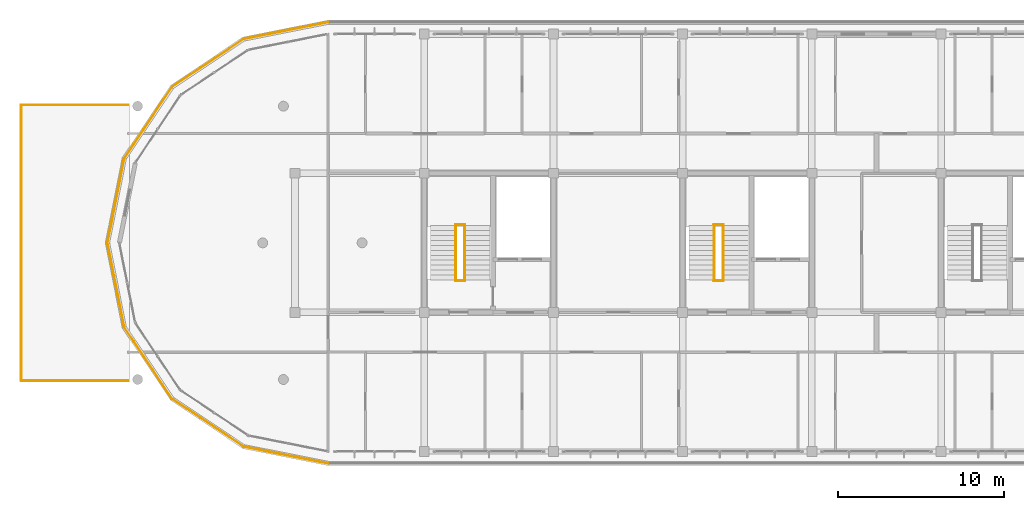
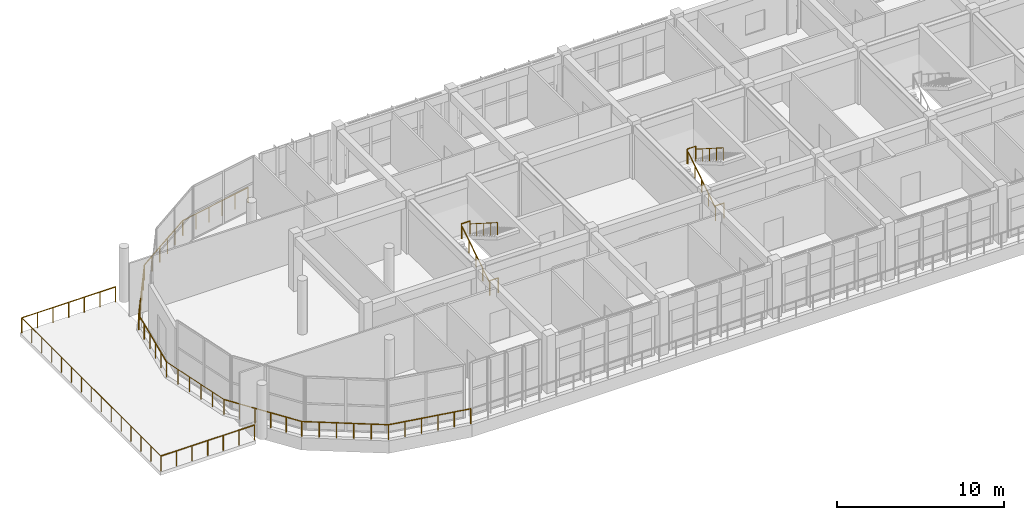
# One storey, part 46 of 50: 19 railings.
"""IFC4 building model written with IfcOpenShell, lengths in metres."""

from ifc_helpers import new_model, si_unit, direction, frame, origin, origin_2d, place, context, subcontext, project, spatial, circle, hollow_circle, extrude, material, material_profile, profile_set, type_object, element, save


model = new_model("IFC4")

# Units and contexts
model_context = context("Model", 3, precision=1e-05, world=origin(), true_north=direction((0.0, 1.0)))
body_context = subcontext(model_context, "Body", "Model", "MODEL_VIEW")
ifc_project = project(units=[si_unit("LENGTHUNIT", "METRE"), si_unit("AREAUNIT", "SQUARE_METRE"), si_unit("VOLUMEUNIT", "CUBIC_METRE"), si_unit("PLANEANGLEUNIT", "RADIAN"), si_unit("MASSUNIT", "GRAM", prefix="KILO")], contexts=[model_context])

# Site, building, storey
site_placement = place(None, origin())
site = spatial("IfcSite", under=ifc_project, at=site_placement, CompositionType="ELEMENT")
building_placement = place(site_placement, origin())
building = spatial("IfcBuilding", under=site, at=building_placement, Name="Zizhar Promenade General Hospital", CompositionType="ELEMENT")
storey_placement = place(building_placement, frame((0.0, 0.0, 30.60009765625)))
storey = spatial("IfcBuildingStorey", under=building, at=storey_placement, Name="L07", CompositionType="ELEMENT", Elevation=30.60009765625)

# Railings
ifc_material_1 = material(Name="Anodised aluminium 6063-T6", Category="aluminium")
ifc_material_profile_1 = material_profile(ifc_material_1, hollow_circle(Radius=0.06982421875, WallThickness=0.00634765625, at=origin_2d()))
ifc_profile_set_1 = profile_set([ifc_material_profile_1], Name="Anodised aluminium 6063-T6")
railing_type_1 = type_object("IfcRailingType", Name="RL-GUARD-TERR-1100", PredefinedType="GUARDRAIL", material=ifc_profile_set_1)
railing_1_placement = place(storey_placement, frame((41.0, 25.919921875, 0.0)))
element("IfcRailing", 1, at=railing_1_placement, inside=storey, type_object=railing_type_1, Name="Perimeter Safety Guardrail L07-10", PredefinedType="GUARDRAIL", context=body_context, shape_type="SweptSolid", body=[
    extrude(circle(Radius=0.02392578125, at=origin_2d()), frame((0.0, 0.0, 1.09619140625), z_axis=(-0.980786101187, -0.195086195614, 0.0), x_axis=(0.195086195614, -0.980786101187, 0.0)), (0.0, 0.0, 1.0), 5.197265625),
    extrude(circle(Radius=0.02099609375, at=origin_2d()), origin(), (0.0, 0.0, 1.0), 1.072021484375),
    extrude(circle(Radius=0.02099609375, at=origin_2d()), frame((-1.01953125, -0.202880859375, 0.0)), (0.0, 0.0, 1.0), 1.072021484375),
    extrude(circle(Radius=0.02099609375, at=origin_2d()), frame((-2.0390625, -0.405517578125, 0.0)), (0.0, 0.0, 1.0), 1.072021484375),
    extrude(circle(Radius=0.02099609375, at=origin_2d()), frame((-3.058349609375, -0.6083984375, 0.0)), (0.0, 0.0, 1.0), 1.072021484375),
    extrude(circle(Radius=0.02099609375, at=origin_2d()), frame((-4.077880859375, -0.81103515625, 0.0)), (0.0, 0.0, 1.0), 1.072021484375),
    extrude(circle(Radius=0.02099609375, at=origin_2d()), frame((-5.097412109375, -1.013916015625, 0.0)), (0.0, 0.0, 1.0), 1.072021484375),
])
railing_2_placement = place(storey_placement, frame((35.902587890625, 24.906005859375, 0.0)))
element("IfcRailing", 2, at=railing_2_placement, inside=storey, type_object=railing_type_1, Name="Perimeter Safety Guardrail L07-11", PredefinedType="GUARDRAIL", context=body_context, shape_type="SweptSolid", body=[
    extrude(circle(Radius=0.02392578125, at=origin_2d()), frame((0.0, 0.0, 1.09619140625), z_axis=(-0.831486145253, -0.555545488913, 0.0), x_axis=(0.555545488913, -0.831486145253, 0.0)), (0.0, 0.0, 1.0), 5.197021484375),
    extrude(circle(Radius=0.02099609375, at=origin_2d()), origin(), (0.0, 0.0, 1.0), 1.072021484375),
    extrude(circle(Radius=0.02099609375, at=origin_2d()), frame((-0.8642578125, -0.577392578125, 0.0)), (0.0, 0.0, 1.0), 1.072021484375),
    extrude(circle(Radius=0.02099609375, at=origin_2d()), frame((-1.728515625, -1.15478515625, 0.0)), (0.0, 0.0, 1.0), 1.072021484375),
    extrude(circle(Radius=0.02099609375, at=origin_2d()), frame((-2.5927734375, -1.732421875, 0.0)), (0.0, 0.0, 1.0), 1.072021484375),
    extrude(circle(Radius=0.02099609375, at=origin_2d()), frame((-3.45703125, -2.309814453125, 0.0)), (0.0, 0.0, 1.0), 1.072021484375),
    extrude(circle(Radius=0.02099609375, at=origin_2d()), frame((-4.3212890625, -2.88720703125, 0.0)), (0.0, 0.0, 1.0), 1.072021484375),
])
railing_3_placement = place(storey_placement, frame((31.581298828125, 22.018798828125, 0.0)))
element("IfcRailing", 3, at=railing_3_placement, inside=storey, type_object=railing_type_1, Name="Perimeter Safety Guardrail L07-12", PredefinedType="GUARDRAIL", context=body_context, shape_type="SweptSolid", body=[
    extrude(circle(Radius=0.02392578125, at=origin_2d()), frame((0.0, 0.0, 1.09619140625), z_axis=(-0.555556266519, -0.83147894425, 0.0), x_axis=(0.83147894425, -0.555556266519, 0.0)), (0.0, 0.0, 1.0), 5.197509765625),
    extrude(circle(Radius=0.02099609375, at=origin_2d()), origin(), (0.0, 0.0, 1.0), 1.072021484375),
    extrude(circle(Radius=0.02099609375, at=origin_2d()), frame((-0.577392578125, -0.8642578125, 0.0)), (0.0, 0.0, 1.0), 1.072021484375),
    extrude(circle(Radius=0.02099609375, at=origin_2d()), frame((-1.155029296875, -1.728515625, 0.0)), (0.0, 0.0, 1.0), 1.072021484375),
    extrude(circle(Radius=0.02099609375, at=origin_2d()), frame((-1.732421875, -2.593017578125, 0.0)), (0.0, 0.0, 1.0), 1.072021484375),
    extrude(circle(Radius=0.02099609375, at=origin_2d()), frame((-2.31005859375, -3.457275390625, 0.0)), (0.0, 0.0, 1.0), 1.072021484375),
    extrude(circle(Radius=0.02099609375, at=origin_2d()), frame((-2.887451171875, -4.321533203125, 0.0)), (0.0, 0.0, 1.0), 1.072021484375),
])
railing_4_placement = place(storey_placement, frame((28.69384765625, 17.697265625, 0.0)))
element("IfcRailing", 4, at=railing_4_placement, inside=storey, type_object=railing_type_1, Name="Perimeter Safety Guardrail L07-13", PredefinedType="GUARDRAIL", context=body_context, shape_type="SweptSolid", body=[
    extrude(circle(Radius=0.02392578125, at=origin_2d()), frame((0.0, 0.0, 1.09619140625), z_axis=(-0.195095184069, -0.980784313268, 0.0), x_axis=(0.980784313268, -0.195095184069, 0.0)), (0.0, 0.0, 1.0), 5.197021484375),
    extrude(circle(Radius=0.02099609375, at=origin_2d()), origin(), (0.0, 0.0, 1.0), 1.072021484375),
    extrude(circle(Radius=0.02099609375, at=origin_2d()), frame((-0.202880859375, -1.01953125, 0.0)), (0.0, 0.0, 1.0), 1.072021484375),
    extrude(circle(Radius=0.02099609375, at=origin_2d()), frame((-0.405517578125, -2.038818359375, 0.0)), (0.0, 0.0, 1.0), 1.072021484375),
    extrude(circle(Radius=0.02099609375, at=origin_2d()), frame((-0.6083984375, -3.058349609375, 0.0)), (0.0, 0.0, 1.0), 1.072021484375),
    extrude(circle(Radius=0.02099609375, at=origin_2d()), frame((-0.81103515625, -4.07763671875, 0.0)), (0.0, 0.0, 1.0), 1.072021484375),
    extrude(circle(Radius=0.02099609375, at=origin_2d()), frame((-1.013916015625, -5.09716796875, 0.0)), (0.0, 0.0, 1.0), 1.072021484375),
])
railing_5_placement = place(storey_placement, frame((27.679931640625, 12.60009765625, 0.0)))
element("IfcRailing", 5, at=railing_5_placement, inside=storey, type_object=railing_type_1, Name="Perimeter Safety Guardrail L07-14", PredefinedType="GUARDRAIL", context=body_context, shape_type="SweptSolid", body=[
    extrude(circle(Radius=0.02392578125, at=origin_2d()), frame((0.0, 0.0, 1.09619140625), z_axis=(0.195086195614, -0.980786101187, 0.0), x_axis=(0.980786101187, 0.195086195614, 0.0)), (0.0, 0.0, 1.0), 5.197265625),
    extrude(circle(Radius=0.02099609375, at=origin_2d()), origin(), (0.0, 0.0, 1.0), 1.072021484375),
    extrude(circle(Radius=0.02099609375, at=origin_2d()), frame((0.202880859375, -1.01953125, 0.0)), (0.0, 0.0, 1.0), 1.072021484375),
    extrude(circle(Radius=0.02099609375, at=origin_2d()), frame((0.405517578125, -2.0390625, 0.0)), (0.0, 0.0, 1.0), 1.072021484375),
    extrude(circle(Radius=0.02099609375, at=origin_2d()), frame((0.6083984375, -3.058349609375, 0.0)), (0.0, 0.0, 1.0), 1.072021484375),
    extrude(circle(Radius=0.02099609375, at=origin_2d()), frame((0.81103515625, -4.077880859375, 0.0)), (0.0, 0.0, 1.0), 1.072021484375),
    extrude(circle(Radius=0.02099609375, at=origin_2d()), frame((1.013916015625, -5.097412109375, 0.0)), (0.0, 0.0, 1.0), 1.072021484375),
])
railing_6_placement = place(storey_placement, frame((28.69384765625, 7.502685546875, 0.0)))
element("IfcRailing", 6, at=railing_6_placement, inside=storey, type_object=railing_type_1, Name="Perimeter Safety Guardrail L07-15", PredefinedType="GUARDRAIL", context=body_context, shape_type="SweptSolid", body=[
    extrude(circle(Radius=0.02392578125, at=origin_2d()), frame((0.0, 0.0, 1.09619140625), z_axis=(0.555577965829, -0.831464445352, 0.0), x_axis=(0.831464445352, 0.555577965829, 0.0)), (0.0, 0.0, 1.0), 5.197265625),
    extrude(circle(Radius=0.02099609375, at=origin_2d()), origin(), (0.0, 0.0, 1.0), 1.072021484375),
    extrude(circle(Radius=0.02099609375, at=origin_2d()), frame((0.577392578125, -0.8642578125, 0.0)), (0.0, 0.0, 1.0), 1.072021484375),
    extrude(circle(Radius=0.02099609375, at=origin_2d()), frame((1.155029296875, -1.728515625, 0.0)), (0.0, 0.0, 1.0), 1.072021484375),
    extrude(circle(Radius=0.02099609375, at=origin_2d()), frame((1.732421875, -2.5927734375, 0.0)), (0.0, 0.0, 1.0), 1.072021484375),
    extrude(circle(Radius=0.02099609375, at=origin_2d()), frame((2.31005859375, -3.45703125, 0.0)), (0.0, 0.0, 1.0), 1.072021484375),
    extrude(circle(Radius=0.02099609375, at=origin_2d()), frame((2.887451171875, -4.3212890625, 0.0)), (0.0, 0.0, 1.0), 1.072021484375),
])
railing_7_placement = place(storey_placement, frame((31.581298828125, 3.181396484375, 0.0)))
element("IfcRailing", 7, at=railing_7_placement, inside=storey, type_object=railing_type_1, Name="Perimeter Safety Guardrail L07-16", PredefinedType="GUARDRAIL", context=body_context, shape_type="SweptSolid", body=[
    extrude(circle(Radius=0.02392578125, at=origin_2d()), frame((0.0, 0.0, 1.09619140625), z_axis=(0.831464445352, -0.555577965829, 0.0), x_axis=(0.555577965829, 0.831464445352, 0.0)), (0.0, 0.0, 1.0), 5.197265625),
    extrude(circle(Radius=0.02099609375, at=origin_2d()), origin(), (0.0, 0.0, 1.0), 1.072021484375),
    extrude(circle(Radius=0.02099609375, at=origin_2d()), frame((0.8642578125, -0.577392578125, 0.0)), (0.0, 0.0, 1.0), 1.072021484375),
    extrude(circle(Radius=0.02099609375, at=origin_2d()), frame((1.728515625, -1.155029296875, 0.0)), (0.0, 0.0, 1.0), 1.072021484375),
    extrude(circle(Radius=0.02099609375, at=origin_2d()), frame((2.5927734375, -1.732421875, 0.0)), (0.0, 0.0, 1.0), 1.072021484375),
    extrude(circle(Radius=0.02099609375, at=origin_2d()), frame((3.45703125, -2.31005859375, 0.0)), (0.0, 0.0, 1.0), 1.072021484375),
    extrude(circle(Radius=0.02099609375, at=origin_2d()), frame((4.3212890625, -2.887451171875, 0.0)), (0.0, 0.0, 1.0), 1.072021484375),
])
railing_8_placement = place(storey_placement, frame((35.902587890625, 0.2939453125, 0.0)))
element("IfcRailing", 8, at=railing_8_placement, inside=storey, type_object=railing_type_1, Name="Perimeter Safety Guardrail L07-17", PredefinedType="GUARDRAIL", context=body_context, shape_type="SweptSolid", body=[
    extrude(circle(Radius=0.02392578125, at=origin_2d()), frame((0.0, 0.0, 1.09619140625), z_axis=(0.980786101187, -0.195086195614, 0.0), x_axis=(0.195086195614, 0.980786101187, 0.0)), (0.0, 0.0, 1.0), 5.197265625),
    extrude(circle(Radius=0.02099609375, at=origin_2d()), origin(), (0.0, 0.0, 1.0), 1.072021484375),
    extrude(circle(Radius=0.02099609375, at=origin_2d()), frame((1.01953125, -0.202880859375, 0.0)), (0.0, 0.0, 1.0), 1.072021484375),
    extrude(circle(Radius=0.02099609375, at=origin_2d()), frame((2.0390625, -0.405517578125, 0.0)), (0.0, 0.0, 1.0), 1.072021484375),
    extrude(circle(Radius=0.02099609375, at=origin_2d()), frame((3.058349609375, -0.6083984375, 0.0)), (0.0, 0.0, 1.0), 1.072021484375),
    extrude(circle(Radius=0.02099609375, at=origin_2d()), frame((4.077880859375, -0.81103515625, 0.0)), (0.0, 0.0, 1.0), 1.072021484375),
    extrude(circle(Radius=0.02099609375, at=origin_2d()), frame((5.097412109375, -1.013916015625, 0.0)), (0.0, 0.0, 1.0), 1.072021484375),
])
railing_9_placement = place(storey_placement, frame((28.949951171875, 4.280029296875, 0.0)))
element("IfcRailing", 9, at=railing_9_placement, inside=storey, type_object=railing_type_1, Name="Perimeter Safety Guardrail L07-01", PredefinedType="GUARDRAIL", context=body_context, shape_type="SweptSolid", body=[
    extrude(circle(Radius=0.02392578125, at=origin_2d()), frame((0.0, 0.0, 1.09619140625), z_axis=(-1.0, 0.0, 0.0), x_axis=(0.0, -1.0, 0.0)), (0.0, 0.0, 1.0), 6.469970703125),
    extrude(circle(Radius=0.02099609375, at=origin_2d()), origin(), (0.0, 0.0, 1.0), 1.072021484375),
    extrude(circle(Radius=0.02099609375, at=origin_2d()), frame((-1.078369140625, 0.0, 0.0)), (0.0, 0.0, 1.0), 1.072021484375),
    extrude(circle(Radius=0.02099609375, at=origin_2d()), frame((-2.15673828125, 0.0, 0.0)), (0.0, 0.0, 1.0), 1.072021484375),
    extrude(circle(Radius=0.02099609375, at=origin_2d()), frame((-3.23486328125, 0.0, 0.0)), (0.0, 0.0, 1.0), 1.072021484375),
    extrude(circle(Radius=0.02099609375, at=origin_2d()), frame((-4.313232421875, 0.0, 0.0)), (0.0, 0.0, 1.0), 1.072021484375),
    extrude(circle(Radius=0.02099609375, at=origin_2d()), frame((-5.3916015625, 0.0, 0.0)), (0.0, 0.0, 1.0), 1.072021484375),
    extrude(circle(Radius=0.02099609375, at=origin_2d()), frame((-6.469970703125, 0.0, 0.0)), (0.0, 0.0, 1.0), 1.072021484375),
])
railing_10_placement = place(storey_placement, frame((22.47998046875, 4.280029296875, 0.0)))
element("IfcRailing", 10, at=railing_10_placement, inside=storey, type_object=railing_type_1, Name="Perimeter Safety Guardrail L07-02", PredefinedType="GUARDRAIL", context=body_context, shape_type="SweptSolid", body=[
    extrude(circle(Radius=0.02392578125, at=origin_2d()), frame((0.0, 0.0, 1.09619140625), z_axis=(0.0, 1.0, 0.0), x_axis=(-1.0, 0.0, 0.0)), (0.0, 0.0, 1.0), 16.639892578125),
    extrude(circle(Radius=0.02099609375, at=origin_2d()), origin(), (0.0, 0.0, 1.0), 1.072021484375),
    extrude(circle(Radius=0.02099609375, at=origin_2d()), frame((0.0, 1.1884765625, 0.0)), (0.0, 0.0, 1.0), 1.072021484375),
    extrude(circle(Radius=0.02099609375, at=origin_2d()), frame((0.0, 2.377197265625, 0.0)), (0.0, 0.0, 1.0), 1.072021484375),
    extrude(circle(Radius=0.02099609375, at=origin_2d()), frame((0.0, 3.565673828125, 0.0)), (0.0, 0.0, 1.0), 1.072021484375),
    extrude(circle(Radius=0.02099609375, at=origin_2d()), frame((0.0, 4.754150390625, 0.0)), (0.0, 0.0, 1.0), 1.072021484375),
    extrude(circle(Radius=0.02099609375, at=origin_2d()), frame((0.0, 5.94287109375, 0.0)), (0.0, 0.0, 1.0), 1.072021484375),
    extrude(circle(Radius=0.02099609375, at=origin_2d()), frame((0.0, 7.13134765625, 0.0)), (0.0, 0.0, 1.0), 1.072021484375),
    extrude(circle(Radius=0.02099609375, at=origin_2d()), frame((0.0, 8.31982421875, 0.0)), (0.0, 0.0, 1.0), 1.072021484375),
    extrude(circle(Radius=0.02099609375, at=origin_2d()), frame((0.0, 9.508544921875, 0.0)), (0.0, 0.0, 1.0), 1.072021484375),
    extrude(circle(Radius=0.02099609375, at=origin_2d()), frame((0.0, 10.697021484375, 0.0)), (0.0, 0.0, 1.0), 1.072021484375),
    extrude(circle(Radius=0.02099609375, at=origin_2d()), frame((0.0, 11.8857421875, 0.0)), (0.0, 0.0, 1.0), 1.072021484375),
    extrude(circle(Radius=0.02099609375, at=origin_2d()), frame((0.0, 13.07421875, 0.0)), (0.0, 0.0, 1.0), 1.072021484375),
    extrude(circle(Radius=0.02099609375, at=origin_2d()), frame((0.0, 14.2626953125, 0.0)), (0.0, 0.0, 1.0), 1.072021484375),
    extrude(circle(Radius=0.02099609375, at=origin_2d()), frame((0.0, 15.451416015625, 0.0)), (0.0, 0.0, 1.0), 1.072021484375),
    extrude(circle(Radius=0.02099609375, at=origin_2d()), frame((0.0, 16.639892578125, 0.0)), (0.0, 0.0, 1.0), 1.072021484375),
])
railing_11_placement = place(storey_placement, frame((22.47998046875, 20.919921875, 0.0)))
element("IfcRailing", 11, at=railing_11_placement, inside=storey, type_object=railing_type_1, Name="Perimeter Safety Guardrail L07-03", PredefinedType="GUARDRAIL", context=body_context, shape_type="SweptSolid", body=[
    extrude(circle(Radius=0.02392578125, at=origin_2d()), frame((0.0, 0.0, 1.09619140625), z_axis=(1.0, 0.0, 0.0), x_axis=(0.0, 1.0, 0.0)), (0.0, 0.0, 1.0), 6.469970703125),
    extrude(circle(Radius=0.02099609375, at=origin_2d()), origin(), (0.0, 0.0, 1.0), 1.072021484375),
    extrude(circle(Radius=0.02099609375, at=origin_2d()), frame((1.078369140625, 0.0, 0.0)), (0.0, 0.0, 1.0), 1.072021484375),
    extrude(circle(Radius=0.02099609375, at=origin_2d()), frame((2.15673828125, 0.0, 0.0)), (0.0, 0.0, 1.0), 1.072021484375),
    extrude(circle(Radius=0.02099609375, at=origin_2d()), frame((3.23486328125, 0.0, 0.0)), (0.0, 0.0, 1.0), 1.072021484375),
    extrude(circle(Radius=0.02099609375, at=origin_2d()), frame((4.313232421875, 0.0, 0.0)), (0.0, 0.0, 1.0), 1.072021484375),
    extrude(circle(Radius=0.02099609375, at=origin_2d()), frame((5.3916015625, 0.0, 0.0)), (0.0, 0.0, 1.0), 1.072021484375),
    extrude(circle(Radius=0.02099609375, at=origin_2d()), frame((6.469970703125, 0.0, 0.0)), (0.0, 0.0, 1.0), 1.072021484375),
])
ifc_material_2 = material(Name="Anodised aluminium 6063-T6", Category="aluminium")
ifc_material_profile_2 = material_profile(ifc_material_2, hollow_circle(Radius=0.06982421875, WallThickness=0.00634765625, at=origin_2d()))
ifc_profile_set_2 = profile_set([ifc_material_profile_2], Name="Anodised aluminium 6063-T6")
railing_type_2 = type_object("IfcRailingType", Name="RL-HANDRAIL-920", PredefinedType="HANDRAIL", material=ifc_profile_set_2)
railing_12_placement = place(storey_placement, frame((48.699951171875, 10.35009765625, 0.0)))
element("IfcRailing", 12, at=railing_12_placement, inside=storey, type_object=railing_type_2, Name="Stair ST-02 Flight 1 Handrail (L07)", PredefinedType="HANDRAIL", context=body_context, shape_type="SweptSolid", body=[
    extrude(circle(Radius=0.02392578125, at=origin_2d()), frame((0.0, 0.0, 0.89599609375), z_axis=(0.0, 0.843664057944, 0.536871453268), x_axis=(-1.0, 0.0, 0.0)), (0.0, 0.0, 1.0), 3.911376953125),
    extrude(circle(Radius=0.02099609375, at=origin_2d()), origin(), (0.0, 0.0, 1.0), 0.871826171875),
    extrude(circle(Radius=0.02099609375, at=origin_2d()), frame((0.0, 0.824951171875, 0.52490234375)), (0.0, 0.0, 1.0), 0.871826171875),
    extrude(circle(Radius=0.02099609375, at=origin_2d()), frame((0.0, 1.64990234375, 1.0498046875)), (0.0, 0.0, 1.0), 0.871826171875),
    extrude(circle(Radius=0.02099609375, at=origin_2d()), frame((0.0, 2.474853515625, 1.574951171875)), (0.0, 0.0, 1.0), 0.871826171875),
    extrude(circle(Radius=0.02099609375, at=origin_2d()), frame((0.0, 3.2998046875, 2.099853515625)), (0.0, 0.0, 1.0), 0.871826171875),
])
railing_13_placement = place(storey_placement, frame((49.239990234375, 13.64990234375, 2.099853515625)))
element("IfcRailing", 13, at=railing_13_placement, inside=storey, type_object=railing_type_2, Name="Stair ST-02 Flight 2 Handrail (L07)", PredefinedType="HANDRAIL", context=body_context, shape_type="SweptSolid", body=[
    extrude(circle(Radius=0.02392578125, at=origin_2d()), frame((0.0, 0.0, 0.89599609375), z_axis=(0.0, -0.843635785416, 0.536915879413), x_axis=(1.0, 0.0, 0.0)), (0.0, 0.0, 1.0), 3.911376953125),
    extrude(circle(Radius=0.02099609375, at=origin_2d()), origin(), (0.0, 0.0, 1.0), 0.871826171875),
    extrude(circle(Radius=0.02099609375, at=origin_2d()), frame((0.0, -0.824951171875, 0.52490234375)), (0.0, 0.0, 1.0), 0.871826171875),
    extrude(circle(Radius=0.02099609375, at=origin_2d()), frame((0.0, -1.64990234375, 1.050048828125)), (0.0, 0.0, 1.0), 0.871826171875),
    extrude(circle(Radius=0.02099609375, at=origin_2d()), frame((0.0, -2.474853515625, 1.5751953125)), (0.0, 0.0, 1.0), 0.871826171875),
    extrude(circle(Radius=0.02099609375, at=origin_2d()), frame((0.0, -3.2998046875, 2.10009765625)), (0.0, 0.0, 1.0), 0.871826171875),
])
railing_14_placement = place(storey_placement, frame((64.300048828125, 10.35009765625, 0.0)))
element("IfcRailing", 14, at=railing_14_placement, inside=storey, type_object=railing_type_2, Name="Stair ST-03 Flight 1 Handrail (L07)", PredefinedType="HANDRAIL", context=body_context, shape_type="SweptSolid", body=[
    extrude(circle(Radius=0.02392578125, at=origin_2d()), frame((0.0, 0.0, 0.89599609375), z_axis=(0.0, 0.843664057944, 0.536871453268), x_axis=(-1.0, 0.0, 0.0)), (0.0, 0.0, 1.0), 3.911376953125),
    extrude(circle(Radius=0.02099609375, at=origin_2d()), origin(), (0.0, 0.0, 1.0), 0.871826171875),
    extrude(circle(Radius=0.02099609375, at=origin_2d()), frame((0.0, 0.824951171875, 0.52490234375)), (0.0, 0.0, 1.0), 0.871826171875),
    extrude(circle(Radius=0.02099609375, at=origin_2d()), frame((0.0, 1.64990234375, 1.0498046875)), (0.0, 0.0, 1.0), 0.871826171875),
    extrude(circle(Radius=0.02099609375, at=origin_2d()), frame((0.0, 2.474853515625, 1.574951171875)), (0.0, 0.0, 1.0), 0.871826171875),
    extrude(circle(Radius=0.02099609375, at=origin_2d()), frame((0.0, 3.2998046875, 2.099853515625)), (0.0, 0.0, 1.0), 0.871826171875),
])
railing_15_placement = place(storey_placement, frame((64.840087890625, 13.64990234375, 2.099853515625)))
element("IfcRailing", 15, at=railing_15_placement, inside=storey, type_object=railing_type_2, Name="Stair ST-03 Flight 2 Handrail (L07)", PredefinedType="HANDRAIL", context=body_context, shape_type="SweptSolid", body=[
    extrude(circle(Radius=0.02392578125, at=origin_2d()), frame((0.0, 0.0, 0.89599609375), z_axis=(0.0, -0.843635785416, 0.536915879413), x_axis=(1.0, 0.0, 0.0)), (0.0, 0.0, 1.0), 3.911376953125),
    extrude(circle(Radius=0.02099609375, at=origin_2d()), origin(), (0.0, 0.0, 1.0), 0.871826171875),
    extrude(circle(Radius=0.02099609375, at=origin_2d()), frame((0.0, -0.824951171875, 0.52490234375)), (0.0, 0.0, 1.0), 0.871826171875),
    extrude(circle(Radius=0.02099609375, at=origin_2d()), frame((0.0, -1.64990234375, 1.050048828125)), (0.0, 0.0, 1.0), 0.871826171875),
    extrude(circle(Radius=0.02099609375, at=origin_2d()), frame((0.0, -2.474853515625, 1.5751953125)), (0.0, 0.0, 1.0), 0.871826171875),
    extrude(circle(Radius=0.02099609375, at=origin_2d()), frame((0.0, -3.2998046875, 2.10009765625)), (0.0, 0.0, 1.0), 0.871826171875),
])
ifc_material_3 = material(Name="Steel S355", Category="steel")
ifc_material_profile_3 = material_profile(ifc_material_3, hollow_circle(Radius=0.06982421875, WallThickness=0.00634765625, at=origin_2d()))
ifc_profile_set_3 = profile_set([ifc_material_profile_3], Name="Steel S355")
railing_type_3 = type_object("IfcRailingType", Name="RL-STAIR-GUARD-1100", PredefinedType="GUARDRAIL", material=ifc_profile_set_3)
for number, where, name in (
    (16, (48.679931640625, 13.68994140625, 2.099853515625), "Stair ST-02 Half-Landing Guard (L07)"),
    (17, (48.679931640625, 10.31005859375, 0.0), "Stair ST-02 Landing Well Guard (L07)"),
    (18, (64.280029296875, 13.68994140625, 2.099853515625), "Stair ST-03 Half-Landing Guard (L07)"),
    (19, (64.280029296875, 10.31005859375, 0.0), "Stair ST-03 Landing Well Guard (L07)"),
):
    element("IfcRailing", number, at=place(storey_placement, frame(where)), inside=storey, type_object=railing_type_3, Name=name, PredefinedType="GUARDRAIL", context=body_context, shape_type="SweptSolid", body=[
        extrude(circle(Radius=0.02392578125, at=origin_2d()), frame((0.0, 0.0, 1.076171875), z_axis=(1.0, 0.0, 0.0), x_axis=(0.0, 1.0, 0.0)), (0.0, 0.0, 1.0), 0.580078125),
        extrude(circle(Radius=0.02099609375, at=origin_2d()), origin(), (0.0, 0.0, 1.0), 1.052001953125),
        extrude(circle(Radius=0.02099609375, at=origin_2d()), frame((0.580078125, 0.0, 0.0)), (0.0, 0.0, 1.0), 1.052001953125),
    ])

save(model, "model.ifc")
